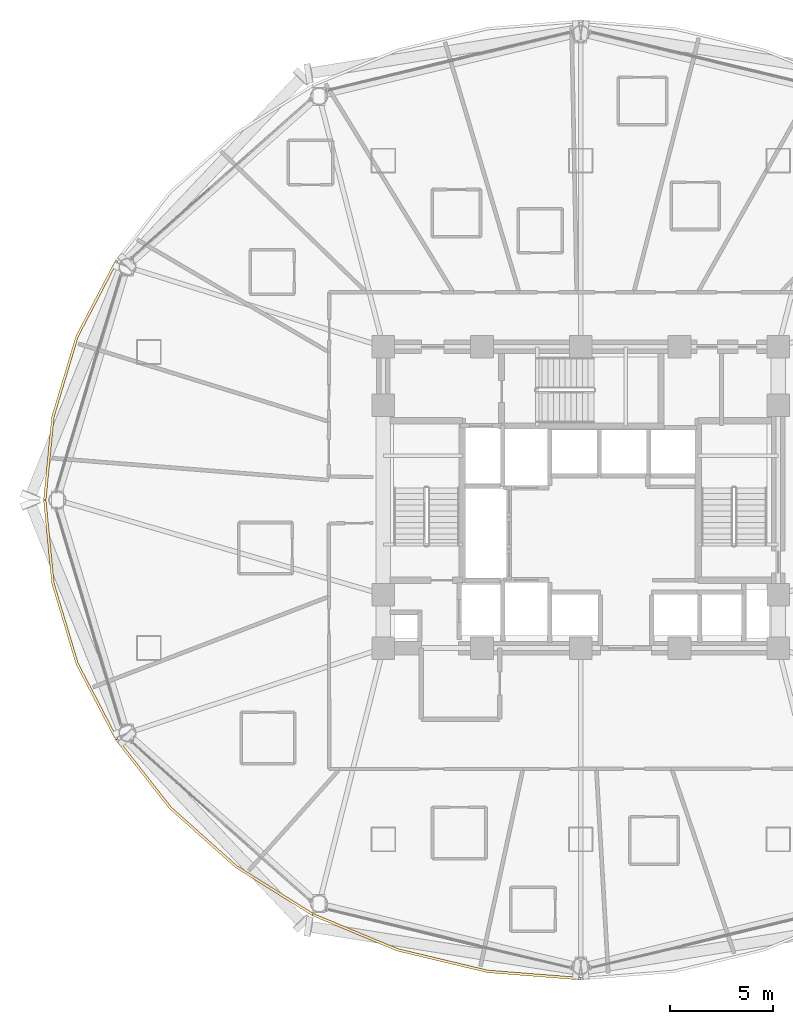
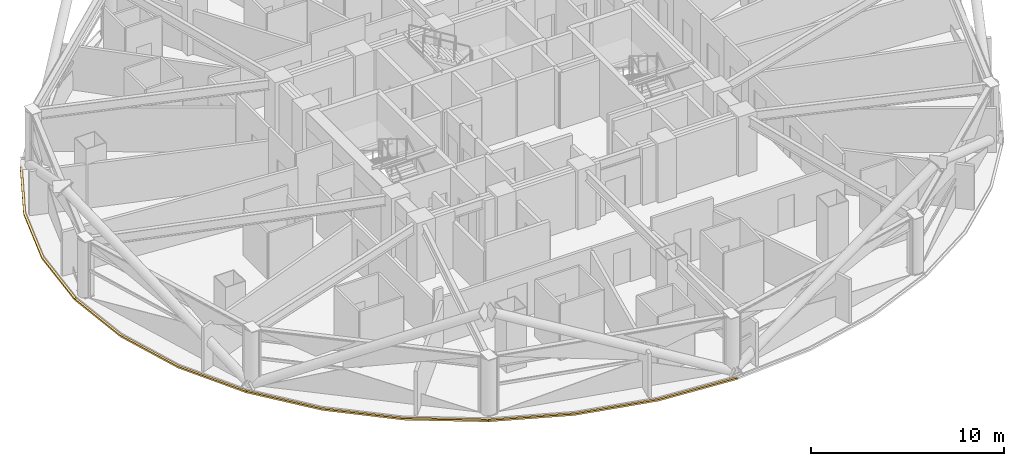
# One storey, part 28 of 31: 4 coverings.
"""IFC4 building model written with IfcOpenShell, lengths in metres."""

from ifc_helpers import new_model, si_unit, direction, frame, origin, place, context, subcontext, project, spatial, polyline, outline, extrude, material, layer, layer_set, type_object, element, save


model = new_model("IFC4")

# Units and contexts
model_context = context("Model", 3, precision=1e-05, world=origin(), true_north=direction((0.0, 1.0)))
body_context = subcontext(model_context, "Body", "Model", "MODEL_VIEW")
ifc_project = project(units=[si_unit("LENGTHUNIT", "METRE"), si_unit("AREAUNIT", "SQUARE_METRE"), si_unit("VOLUMEUNIT", "CUBIC_METRE"), si_unit("PLANEANGLEUNIT", "RADIAN"), si_unit("MASSUNIT", "GRAM", prefix="KILO")], contexts=[model_context])

# Site, building, storey
site_placement = place(None, origin())
site = spatial("IfcSite", under=ifc_project, at=site_placement, CompositionType="ELEMENT")
building_placement = place(site_placement, origin())
building = spatial("IfcBuilding", under=site, at=building_placement, Name="Vantalir Tower", CompositionType="ELEMENT")
storey_placement = place(building_placement, frame((0.0, 0.0, 34.5)))
storey = spatial("IfcBuildingStorey", under=building, at=storey_placement, Name="L07", CompositionType="ELEMENT", Elevation=34.5)

# Coverings
ifc_material = material(Name="Anodised champagne aluminium sill fascia", Category="aluminium")
ifc_layer = layer(ifc_material, 0.125)
ifc_layer_set = layer_set([ifc_layer], Name="Anodised champagne aluminium sill fascia")
covering_type = type_object("IfcCoveringType", Name="COV-SLAB-FASCIA-125", PredefinedType="CLADDING", material=ifc_layer_set)
covering_1_placement = place(storey_placement, frame((0.0, 0.0, -0.179931640625)))
element("IfcCovering", 1, at=covering_1_placement, inside=storey, type_object=covering_type, Name="L07 Perimeter Slab-Edge Sill Fascia 06", PredefinedType="CLADDING", context=body_context, shape_type="SweptSolid", body=[
    extrude(outline(polyline([(8.875, 36.6689453125), (6.950927734375, 32.98193359375), (5.77197265625, 29.052978515625), (5.375, 25.0), (5.5, 25.0), (5.89501953125, 29.031005859375), (7.068115234375, 32.93994140625), (8.98291015625, 36.60693359375), (8.875, 36.6689453125)])), origin(), (0.0, 0.0, 1.0), 0.10498046875),
])
covering_2_placement = place(storey_placement, frame((0.0, 0.0, -0.179931640625)))
element("IfcCovering", 2, at=covering_2_placement, inside=storey, type_object=covering_type, Name="L07 Perimeter Slab-Edge Sill Fascia 07", PredefinedType="CLADDING", context=body_context, shape_type="SweptSolid", body=[
    extrude(outline(polyline([(5.375, 25.0), (5.77197265625, 20.947021484375), (6.950927734375, 17.01806640625), (8.875, 13.330078125), (8.98291015625, 13.39306640625), (7.068115234375, 17.06005859375), (5.89501953125, 20.968994140625), (5.5, 25.0), (5.375, 25.0)])), origin(), (0.0, 0.0, 1.0), 0.10498046875),
])
covering_3_placement = place(storey_placement, frame((0.0, 0.0, -0.179931640625)))
element("IfcCovering", 3, at=covering_3_placement, inside=storey, type_object=covering_type, Name="L07 Perimeter Slab-Edge Sill Fascia 08", PredefinedType="CLADDING", context=body_context, shape_type="SweptSolid", body=[
    extrude(outline(polyline([(8.875, 13.330078125), (11.487060546875, 9.998046875), (14.70703125, 7.12109375), (18.43701171875, 4.7880859375), (18.5, 4.89599609375), (14.7880859375, 7.217041015625), (11.5830078125, 10.077880859375), (8.98291015625, 13.39306640625), (8.875, 13.330078125)])), origin(), (0.0, 0.0, 1.0), 0.10498046875),
])
covering_4_placement = place(storey_placement, frame((0.0, 0.0, -0.179931640625)))
element("IfcCovering", 4, at=covering_4_placement, inside=storey, type_object=covering_type, Name="L07 Perimeter Slab-Edge Sill Fascia 09", PredefinedType="CLADDING", context=body_context, shape_type="SweptSolid", body=[
    extrude(outline(polyline([(18.43701171875, 4.7880859375), (22.56494140625, 3.069091796875), (26.962890625, 2.01611328125), (31.5, 1.660888671875), (31.5, 1.785888671875), (26.985107421875, 2.138916015625), (22.60693359375, 3.18603515625), (18.5, 4.89599609375), (18.43701171875, 4.7880859375)])), origin(), (0.0, 0.0, 1.0), 0.10498046875),
])

save(model, "model.ifc")
